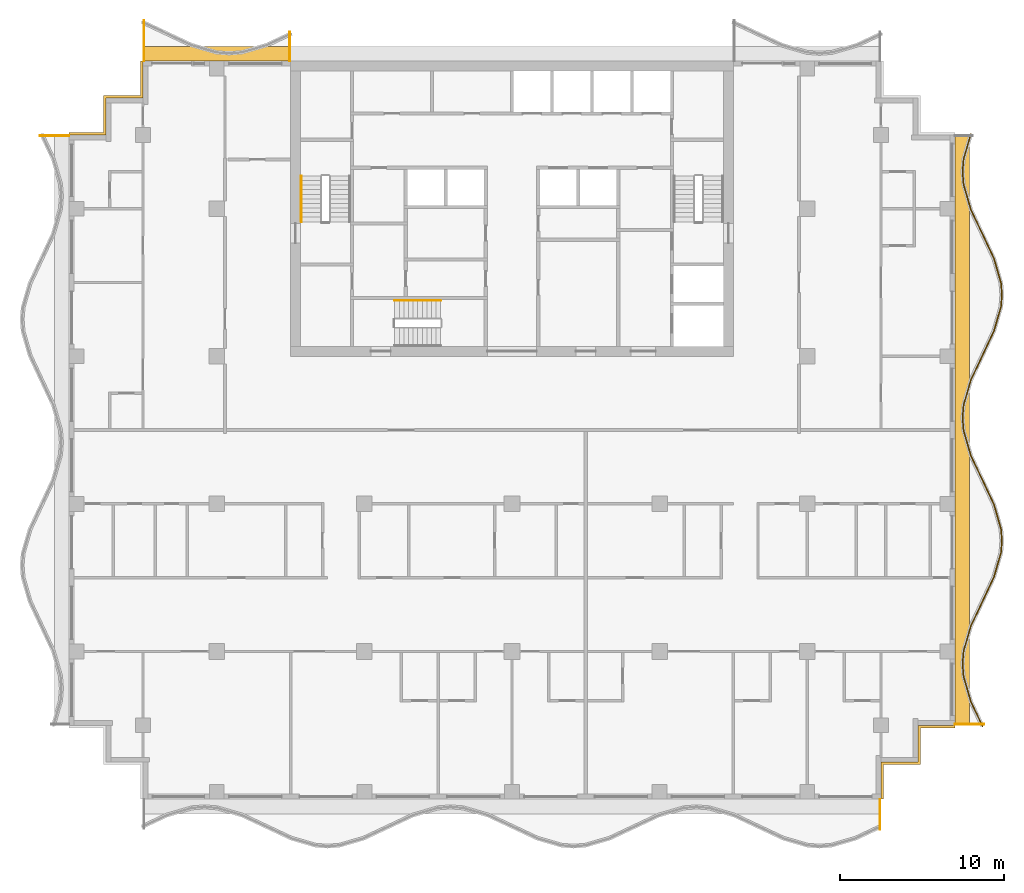
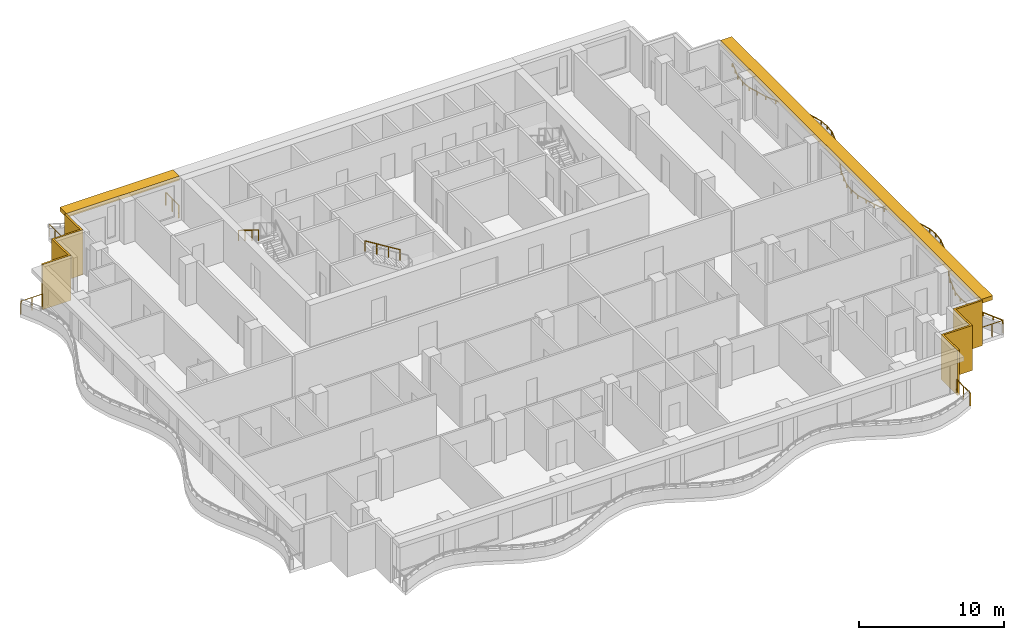
# One storey, part 10 of 11: 8 railings, 4 shading devices.
"""IFC4 building model written with IfcOpenShell, lengths in metres."""

from ifc_helpers import new_model, si_unit, direction, frame, origin, origin_2d, place, context, subcontext, project, spatial, polyline, rectangle, circle, outline, extrude, material, layer, layer_set, type_object, element, save


model = new_model("IFC4")

# Units and contexts
model_context = context("Model", 3, precision=1e-05, world=origin(), true_north=direction((0.0, 1.0)))
body_context = subcontext(model_context, "Body", "Model", "MODEL_VIEW")
ifc_project = project(units=[si_unit("LENGTHUNIT", "METRE"), si_unit("AREAUNIT", "SQUARE_METRE"), si_unit("VOLUMEUNIT", "CUBIC_METRE"), si_unit("PLANEANGLEUNIT", "RADIAN"), si_unit("MASSUNIT", "GRAM", prefix="KILO")], contexts=[model_context])

# Site, building, storey
site_placement = place(None, origin())
site = spatial("IfcSite", under=ifc_project, at=site_placement, CompositionType="ELEMENT")
building_placement = place(site_placement, origin())
building = spatial("IfcBuilding", under=site, at=building_placement, Name="Orbiselva Terraces", CompositionType="ELEMENT")
storey_placement = place(building_placement, frame((0.0, 0.0, 257.8)))
storey = spatial("IfcBuildingStorey", under=building, at=storey_placement, Name="L65", CompositionType="ELEMENT", Elevation=257.8)

# Railings
ifc_material_1 = material(Name="Stainless steel", Category="steel")
railing_type_1 = type_object("IfcRailingType", Name="CORE-HANDRAIL-900", PredefinedType="HANDRAIL", material=ifc_material_1)
railing_1_placement = place(storey_placement, frame((-12.85, 15.5, 2.072727)))
element("IfcRailing", 1, at=railing_1_placement, inside=storey, type_object=railing_type_1, Name="L65 S1 stair handrail 2", PredefinedType="HANDRAIL", context=body_context, shape_type="SweptSolid", body=[
    extrude(circle(Radius=0.024, at=origin_2d()), frame((0.0, 0.0, 0.876), z_axis=(0.0, -0.851088519012, 0.52502222125), x_axis=(1.0, 0.0, 0.0)), (0.0, 0.0, 1.0), 3.289905),
    extrude(circle(Radius=0.021, at=origin_2d()), origin(), (0.0, 0.0, 1.0), 0.852),
    extrude(circle(Radius=0.021, at=origin_2d()), frame((0.0, -0.933333, 0.575758)), (0.0, 0.0, 1.0), 0.852),
    extrude(circle(Radius=0.021, at=origin_2d()), frame((0.0, -1.866667, 1.151515)), (0.0, 0.0, 1.0), 0.852),
    extrude(circle(Radius=0.021, at=origin_2d()), frame((0.0, -2.8, 1.727273)), (0.0, 0.0, 1.0), 0.852),
])
railing_2_placement = place(storey_placement, frame((-4.35, 7.9, 2.072727)))
element("IfcRailing", 2, at=railing_2_placement, inside=storey, type_object=railing_type_1, Name="L65 S3 stair handrail 2", PredefinedType="HANDRAIL", context=body_context, shape_type="SweptSolid", body=[
    extrude(circle(Radius=0.024, at=origin_2d()), frame((0.0, 0.0, 0.876), z_axis=(-0.851088519012, 0.0, 0.52502222125), x_axis=(0.0, -1.0, 0.0)), (0.0, 0.0, 1.0), 3.289905),
    extrude(circle(Radius=0.021, at=origin_2d()), origin(), (0.0, 0.0, 1.0), 0.852),
    extrude(circle(Radius=0.021, at=origin_2d()), frame((-0.933333, 0.0, 0.575758)), (0.0, 0.0, 1.0), 0.852),
    extrude(circle(Radius=0.021, at=origin_2d()), frame((-1.866667, 0.0, 1.151515)), (0.0, 0.0, 1.0), 0.852),
    extrude(circle(Radius=0.021, at=origin_2d()), frame((-2.8, 0.0, 1.727273)), (0.0, 0.0, 1.0), 0.852),
])
ifc_material_2 = material(Name="Bonded two-ply safety glass balustrade, stainless steel posts", Category="steel")
railing_type_2 = type_object("IfcRailingType", Name="ENV-BALUSTRADE-1200", PredefinedType="BALUSTRADE", material=ifc_material_2)
railing_3_placement = place(storey_placement, frame((28.686882, -18.053191, 0.9)))
element("IfcRailing", 3, at=railing_3_placement, inside=storey, type_object=railing_type_2, Name="Balcony balustrade L65 E", PredefinedType="BALUSTRADE", context=body_context, shape_type="SweptSolid", body=[
    extrude(outline(polyline([(0.028868, 0.0), (0.014434, 0.025), (-0.014434, 0.025), (-0.028868, 0.0), (-0.014434, -0.025), (0.014434, -0.025), (0.028868, 0.0)])), frame((0.0, 0.0, 0.275), z_axis=(-0.425530342069, 0.904944157382, 0.0), x_axis=(-0.904944157382, -0.425530342069, 0.0)), (0.0, 0.0, 1.0), 1.667376),
    extrude(outline(polyline([(0.028868, 0.0), (0.014434, 0.025), (-0.014434, 0.025), (-0.028868, 0.0), (-0.014434, -0.025), (0.014434, -0.025), (0.028868, 0.0)])), frame((-0.709519, 1.508882, 0.275), z_axis=(-0.279070928786, 0.960270491427, 0.0), x_axis=(-0.960270491427, -0.279070928786, 0.0)), (0.0, 0.0, 1.0), 1.584712),
    extrude(outline(polyline([(0.028868, 0.0), (0.014434, 0.025), (-0.014434, 0.025), (-0.028868, 0.0), (-0.014434, -0.025), (0.014434, -0.025), (0.028868, 0.0)])), frame((-1.151766, 3.030634, 0.275), z_axis=(-0.078071061106, 0.996947796737, 0.0), x_axis=(-0.996947796737, -0.078071061106, 0.0)), (0.0, 0.0, 1.0), 0.774922),
    extrude(outline(polyline([(0.028868, 0.0), (0.014434, 0.025), (-0.014434, 0.025), (-0.028868, 0.0), (-0.014434, -0.025), (0.014434, -0.025), (0.028868, 0.0)])), frame((-1.212265, 3.803191, 0.275), z_axis=(0.078071061106, 0.996947796737, 0.0), x_axis=(-0.996947796737, 0.078071061106, 0.0)), (0.0, 0.0, 1.0), 0.774922),
    extrude(outline(polyline([(0.028868, 0.0), (0.014434, 0.025), (-0.014434, 0.025), (-0.028868, 0.0), (-0.014434, -0.025), (0.014434, -0.025), (0.028868, 0.0)])), frame((-1.151766, 4.575748, 0.275), z_axis=(0.279070928786, 0.960270491427, 0.0), x_axis=(-0.960270491427, 0.279070928786, 0.0)), (0.0, 0.0, 1.0), 1.584712),
    extrude(outline(polyline([(0.028868, 0.0), (0.014434, 0.025), (-0.014434, 0.025), (-0.028868, 0.0), (-0.014434, -0.025), (0.014434, -0.025), (0.028868, 0.0)])), frame((-0.709519, 6.0975, 0.275), z_axis=(0.425530342069, 0.904944157382, 0.0), x_axis=(-0.904944157382, 0.425530342069, 0.0)), (0.0, 0.0, 1.0), 1.667376),
    extrude(outline(polyline([(0.028868, 0.0), (0.014434, 0.025), (-0.014434, 0.025), (-0.028868, 0.0), (-0.014434, -0.025), (0.014434, -0.025), (0.028868, 0.0)])), frame((0.0, 7.606382, 0.275), z_axis=(0.425529912322, 0.904944359461, 0.0), x_axis=(-0.904944359461, 0.425529912322, 0.0)), (0.0, 0.0, 1.0), 1.647746),
    extrude(outline(polyline([(0.028868, 0.0), (0.014434, 0.025), (-0.014434, 0.025), (-0.028868, 0.0), (-0.014434, -0.025), (0.014434, -0.025), (0.028868, 0.0)])), frame((0.701165, 9.0975, 0.275), z_axis=(0.279071528957, 0.960270317007, 0.0), x_axis=(-0.960270317007, 0.279071528957, 0.0)), (0.0, 0.0, 1.0), 1.539408),
    extrude(outline(polyline([(0.028868, 0.0), (0.014434, 0.025), (-0.014434, 0.025), (-0.028868, 0.0), (-0.014434, -0.025), (0.014434, -0.025), (0.028868, 0.0)])), frame((1.13077, 10.575748, 0.275), z_axis=(0.078069536776, 0.996947916106, 0.0), x_axis=(-0.996947916106, 0.078069536776, 0.0)), (0.0, 0.0, 1.0), 0.72967),
    extrude(outline(polyline([(0.028868, 0.0), (0.014434, 0.025), (-0.014434, 0.025), (-0.028868, 0.0), (-0.014434, -0.025), (0.014434, -0.025), (0.028868, 0.0)])), frame((1.187735, 11.303191, 0.275), z_axis=(-0.078069536776, 0.996947916106, 0.0), x_axis=(-0.996947916106, -0.078069536776, 0.0)), (0.0, 0.0, 1.0), 0.72967),
    extrude(outline(polyline([(0.028868, 0.0), (0.014434, 0.025), (-0.014434, 0.025), (-0.028868, 0.0), (-0.014434, -0.025), (0.014434, -0.025), (0.028868, 0.0)])), frame((1.13077, 12.030634, 0.275), z_axis=(-0.279071528957, 0.960270317007, 0.0), x_axis=(-0.960270317007, -0.279071528957, 0.0)), (0.0, 0.0, 1.0), 1.539408),
    extrude(outline(polyline([(0.028868, 0.0), (0.014434, 0.025), (-0.014434, 0.025), (-0.028868, 0.0), (-0.014434, -0.025), (0.014434, -0.025), (0.028868, 0.0)])), frame((0.701165, 13.508882, 0.275), z_axis=(-0.425529912322, 0.904944359461, 0.0), x_axis=(-0.904944359461, -0.425529912322, 0.0)), (0.0, 0.0, 1.0), 1.647746),
    extrude(outline(polyline([(0.028868, 0.0), (0.014434, 0.025), (-0.014434, 0.025), (-0.028868, 0.0), (-0.014434, -0.025), (0.014434, -0.025), (0.028868, 0.0)])), frame((0.0, 15.0, 0.275), z_axis=(-0.425530342069, 0.904944157382, 0.0), x_axis=(-0.904944157382, -0.425530342069, 0.0)), (0.0, 0.0, 1.0), 1.667376),
    extrude(outline(polyline([(0.028868, 0.0), (0.014434, 0.025), (-0.014434, 0.025), (-0.028868, 0.0), (-0.014434, -0.025), (0.014434, -0.025), (0.028868, 0.0)])), frame((-0.709519, 16.508882, 0.275), z_axis=(-0.279070928786, 0.960270491427, 0.0), x_axis=(-0.960270491427, -0.279070928786, 0.0)), (0.0, 0.0, 1.0), 1.584712),
    extrude(outline(polyline([(0.028868, 0.0), (0.014434, 0.025), (-0.014434, 0.025), (-0.028868, 0.0), (-0.014434, -0.025), (0.014434, -0.025), (0.028868, 0.0)])), frame((-1.151766, 18.030634, 0.275), z_axis=(-0.078071061106, 0.996947796737, 0.0), x_axis=(-0.996947796737, -0.078071061106, 0.0)), (0.0, 0.0, 1.0), 0.774922),
    extrude(outline(polyline([(0.028868, 0.0), (0.014434, 0.025), (-0.014434, 0.025), (-0.028868, 0.0), (-0.014434, -0.025), (0.014434, -0.025), (0.028868, 0.0)])), frame((-1.212265, 18.803191, 0.275), z_axis=(0.078071061106, 0.996947796737, 0.0), x_axis=(-0.996947796737, 0.078071061106, 0.0)), (0.0, 0.0, 1.0), 0.774922),
    extrude(outline(polyline([(0.028868, 0.0), (0.014434, 0.025), (-0.014434, 0.025), (-0.028868, 0.0), (-0.014434, -0.025), (0.014434, -0.025), (0.028868, 0.0)])), frame((-1.151766, 19.575748, 0.275), z_axis=(0.279070928786, 0.960270491427, 0.0), x_axis=(-0.960270491427, 0.279070928786, 0.0)), (0.0, 0.0, 1.0), 1.584712),
    extrude(outline(polyline([(0.028868, 0.0), (0.014434, 0.025), (-0.014434, 0.025), (-0.028868, 0.0), (-0.014434, -0.025), (0.014434, -0.025), (0.028868, 0.0)])), frame((-0.709519, 21.0975, 0.275), z_axis=(0.425530342069, 0.904944157382, 0.0), x_axis=(-0.904944157382, 0.425530342069, 0.0)), (0.0, 0.0, 1.0), 1.667376),
    extrude(outline(polyline([(0.028868, 0.0), (0.014434, 0.025), (-0.014434, 0.025), (-0.028868, 0.0), (-0.014434, -0.025), (0.014434, -0.025), (0.028868, 0.0)])), frame((0.0, 22.606382, 0.275), z_axis=(0.425529912322, 0.904944359461, 0.0), x_axis=(-0.904944359461, 0.425529912322, 0.0)), (0.0, 0.0, 1.0), 1.647746),
    extrude(outline(polyline([(0.028868, 0.0), (0.014434, 0.025), (-0.014434, 0.025), (-0.028868, 0.0), (-0.014434, -0.025), (0.014434, -0.025), (0.028868, 0.0)])), frame((0.701165, 24.0975, 0.275), z_axis=(0.279071528957, 0.960270317007, 0.0), x_axis=(-0.960270317007, 0.279071528957, 0.0)), (0.0, 0.0, 1.0), 1.539408),
    extrude(outline(polyline([(0.028868, 0.0), (0.014434, 0.025), (-0.014434, 0.025), (-0.028868, 0.0), (-0.014434, -0.025), (0.014434, -0.025), (0.028868, 0.0)])), frame((1.13077, 25.575748, 0.275), z_axis=(0.078069536776, 0.996947916106, 0.0), x_axis=(-0.996947916106, 0.078069536776, 0.0)), (0.0, 0.0, 1.0), 0.72967),
    extrude(outline(polyline([(0.028868, 0.0), (0.014434, 0.025), (-0.014434, 0.025), (-0.028868, 0.0), (-0.014434, -0.025), (0.014434, -0.025), (0.028868, 0.0)])), frame((1.187735, 26.303191, 0.275), z_axis=(-0.078069536776, 0.996947916106, 0.0), x_axis=(-0.996947916106, -0.078069536776, 0.0)), (0.0, 0.0, 1.0), 0.72967),
    extrude(outline(polyline([(0.028868, 0.0), (0.014434, 0.025), (-0.014434, 0.025), (-0.028868, 0.0), (-0.014434, -0.025), (0.014434, -0.025), (0.028868, 0.0)])), frame((1.13077, 27.030634, 0.275), z_axis=(-0.279071528957, 0.960270317007, 0.0), x_axis=(-0.960270317007, -0.279071528957, 0.0)), (0.0, 0.0, 1.0), 1.539408),
    extrude(outline(polyline([(0.028868, 0.0), (0.014434, 0.025), (-0.014434, 0.025), (-0.028868, 0.0), (-0.014434, -0.025), (0.014434, -0.025), (0.028868, 0.0)])), frame((0.701165, 28.508882, 0.275), z_axis=(-0.425529912322, 0.904944359461, 0.0), x_axis=(-0.904944359461, -0.425529912322, 0.0)), (0.0, 0.0, 1.0), 1.647746),
    extrude(outline(polyline([(0.028868, 0.0), (0.014434, 0.025), (-0.014434, 0.025), (-0.028868, 0.0), (-0.014434, -0.025), (0.014434, -0.025), (0.028868, 0.0)])), frame((0.0, 30.0, 0.275), z_axis=(-0.425530342069, 0.904944157382, 0.0), x_axis=(-0.904944157382, -0.425530342069, 0.0)), (0.0, 0.0, 1.0), 1.667376),
    extrude(outline(polyline([(0.028868, 0.0), (0.014434, 0.025), (-0.014434, 0.025), (-0.028868, 0.0), (-0.014434, -0.025), (0.014434, -0.025), (0.028868, 0.0)])), frame((-0.709519, 31.508882, 0.275), z_axis=(-0.279070928786, 0.960270491427, 0.0), x_axis=(-0.960270491427, -0.279070928786, 0.0)), (0.0, 0.0, 1.0), 1.584712),
    extrude(outline(polyline([(0.028868, 0.0), (0.014434, 0.025), (-0.014434, 0.025), (-0.028868, 0.0), (-0.014434, -0.025), (0.014434, -0.025), (0.028868, 0.0)])), frame((-1.151766, 33.030634, 0.275), z_axis=(-0.078071061106, 0.996947796737, 0.0), x_axis=(-0.996947796737, -0.078071061106, 0.0)), (0.0, 0.0, 1.0), 0.774922),
    extrude(outline(polyline([(0.028868, 0.0), (0.014434, 0.025), (-0.014434, 0.025), (-0.028868, 0.0), (-0.014434, -0.025), (0.014434, -0.025), (0.028868, 0.0)])), frame((-1.212265, 33.803191, 0.275), z_axis=(0.078071061106, 0.996947796737, 0.0), x_axis=(-0.996947796737, 0.078071061106, 0.0)), (0.0, 0.0, 1.0), 0.774922),
    extrude(outline(polyline([(0.028868, 0.0), (0.014434, 0.025), (-0.014434, 0.025), (-0.028868, 0.0), (-0.014434, -0.025), (0.014434, -0.025), (0.028868, 0.0)])), frame((-1.151766, 34.575748, 0.275), z_axis=(0.279070966973, 0.96027048033, 0.0), x_axis=(-0.96027048033, 0.279070966973, 0.0)), (0.0, 0.0, 1.0), 1.574897),
    extrude(rectangle(XDim=0.05, YDim=0.05, at=origin_2d()), origin(), (0.0, 0.0, 1.0), 0.25),
    extrude(rectangle(XDim=0.05, YDim=0.05, at=origin_2d()), frame((-0.35476, 0.754441, 0.0)), (0.0, 0.0, 1.0), 0.25),
    extrude(rectangle(XDim=0.05, YDim=0.05, at=origin_2d()), frame((-0.709519, 1.508882, 0.0)), (0.0, 0.0, 1.0), 0.25),
    extrude(rectangle(XDim=0.05, YDim=0.05, at=origin_2d()), frame((-0.930643, 2.269758, 0.0)), (0.0, 0.0, 1.0), 0.25),
    extrude(rectangle(XDim=0.05, YDim=0.05, at=origin_2d()), frame((-1.151766, 3.030634, 0.0)), (0.0, 0.0, 1.0), 0.25),
    extrude(rectangle(XDim=0.05, YDim=0.05, at=origin_2d()), frame((-1.212265, 3.803191, 0.0)), (0.0, 0.0, 1.0), 0.25),
    extrude(rectangle(XDim=0.05, YDim=0.05, at=origin_2d()), frame((-1.151766, 4.575748, 0.0)), (0.0, 0.0, 1.0), 0.25),
    extrude(rectangle(XDim=0.05, YDim=0.05, at=origin_2d()), frame((-0.930643, 5.336624, 0.0)), (0.0, 0.0, 1.0), 0.25),
    extrude(rectangle(XDim=0.05, YDim=0.05, at=origin_2d()), frame((-0.709519, 6.0975, 0.0)), (0.0, 0.0, 1.0), 0.25),
    extrude(rectangle(XDim=0.05, YDim=0.05, at=origin_2d()), frame((-0.35476, 6.851941, 0.0)), (0.0, 0.0, 1.0), 0.25),
    extrude(rectangle(XDim=0.05, YDim=0.05, at=origin_2d()), frame((0.0, 7.606382, 0.0)), (0.0, 0.0, 1.0), 0.25),
    extrude(rectangle(XDim=0.05, YDim=0.05, at=origin_2d()), frame((0.350582, 8.351941, 0.0)), (0.0, 0.0, 1.0), 0.25),
    extrude(rectangle(XDim=0.05, YDim=0.05, at=origin_2d()), frame((0.701165, 9.0975, 0.0)), (0.0, 0.0, 1.0), 0.25),
    extrude(rectangle(XDim=0.05, YDim=0.05, at=origin_2d()), frame((0.915967, 9.836624, 0.0)), (0.0, 0.0, 1.0), 0.25),
    extrude(rectangle(XDim=0.05, YDim=0.05, at=origin_2d()), frame((1.13077, 10.575748, 0.0)), (0.0, 0.0, 1.0), 0.25),
    extrude(rectangle(XDim=0.05, YDim=0.05, at=origin_2d()), frame((1.187735, 11.303191, 0.0)), (0.0, 0.0, 1.0), 0.25),
    extrude(rectangle(XDim=0.05, YDim=0.05, at=origin_2d()), frame((1.13077, 12.030634, 0.0)), (0.0, 0.0, 1.0), 0.25),
    extrude(rectangle(XDim=0.05, YDim=0.05, at=origin_2d()), frame((0.915967, 12.769758, 0.0)), (0.0, 0.0, 1.0), 0.25),
    extrude(rectangle(XDim=0.05, YDim=0.05, at=origin_2d()), frame((0.701165, 13.508882, 0.0)), (0.0, 0.0, 1.0), 0.25),
    extrude(rectangle(XDim=0.05, YDim=0.05, at=origin_2d()), frame((0.350582, 14.254441, 0.0)), (0.0, 0.0, 1.0), 0.25),
    extrude(rectangle(XDim=0.05, YDim=0.05, at=origin_2d()), frame((0.0, 15.0, 0.0)), (0.0, 0.0, 1.0), 0.25),
    extrude(rectangle(XDim=0.05, YDim=0.05, at=origin_2d()), frame((-0.35476, 15.754441, 0.0)), (0.0, 0.0, 1.0), 0.25),
    extrude(rectangle(XDim=0.05, YDim=0.05, at=origin_2d()), frame((-0.709519, 16.508882, 0.0)), (0.0, 0.0, 1.0), 0.25),
    extrude(rectangle(XDim=0.05, YDim=0.05, at=origin_2d()), frame((-0.930643, 17.269758, 0.0)), (0.0, 0.0, 1.0), 0.25),
    extrude(rectangle(XDim=0.05, YDim=0.05, at=origin_2d()), frame((-1.151766, 18.030634, 0.0)), (0.0, 0.0, 1.0), 0.25),
    extrude(rectangle(XDim=0.05, YDim=0.05, at=origin_2d()), frame((-1.212265, 18.803191, 0.0)), (0.0, 0.0, 1.0), 0.25),
    extrude(rectangle(XDim=0.05, YDim=0.05, at=origin_2d()), frame((-1.151766, 19.575748, 0.0)), (0.0, 0.0, 1.0), 0.25),
    extrude(rectangle(XDim=0.05, YDim=0.05, at=origin_2d()), frame((-0.930643, 20.336624, 0.0)), (0.0, 0.0, 1.0), 0.25),
    extrude(rectangle(XDim=0.05, YDim=0.05, at=origin_2d()), frame((-0.709519, 21.0975, 0.0)), (0.0, 0.0, 1.0), 0.25),
    extrude(rectangle(XDim=0.05, YDim=0.05, at=origin_2d()), frame((-0.35476, 21.851941, 0.0)), (0.0, 0.0, 1.0), 0.25),
    extrude(rectangle(XDim=0.05, YDim=0.05, at=origin_2d()), frame((0.0, 22.606382, 0.0)), (0.0, 0.0, 1.0), 0.25),
    extrude(rectangle(XDim=0.05, YDim=0.05, at=origin_2d()), frame((0.350582, 23.351941, 0.0)), (0.0, 0.0, 1.0), 0.25),
    extrude(rectangle(XDim=0.05, YDim=0.05, at=origin_2d()), frame((0.701165, 24.0975, 0.0)), (0.0, 0.0, 1.0), 0.25),
    extrude(rectangle(XDim=0.05, YDim=0.05, at=origin_2d()), frame((0.915967, 24.836624, 0.0)), (0.0, 0.0, 1.0), 0.25),
    extrude(rectangle(XDim=0.05, YDim=0.05, at=origin_2d()), frame((1.13077, 25.575748, 0.0)), (0.0, 0.0, 1.0), 0.25),
    extrude(rectangle(XDim=0.05, YDim=0.05, at=origin_2d()), frame((1.187735, 26.303191, 0.0)), (0.0, 0.0, 1.0), 0.25),
    extrude(rectangle(XDim=0.05, YDim=0.05, at=origin_2d()), frame((1.13077, 27.030634, 0.0)), (0.0, 0.0, 1.0), 0.25),
    extrude(rectangle(XDim=0.05, YDim=0.05, at=origin_2d()), frame((0.915967, 27.769758, 0.0)), (0.0, 0.0, 1.0), 0.25),
    extrude(rectangle(XDim=0.05, YDim=0.05, at=origin_2d()), frame((0.701165, 28.508882, 0.0)), (0.0, 0.0, 1.0), 0.25),
    extrude(rectangle(XDim=0.05, YDim=0.05, at=origin_2d()), frame((0.350582, 29.254441, 0.0)), (0.0, 0.0, 1.0), 0.25),
    extrude(rectangle(XDim=0.05, YDim=0.05, at=origin_2d()), frame((0.0, 30.0, 0.0)), (0.0, 0.0, 1.0), 0.25),
    extrude(rectangle(XDim=0.05, YDim=0.05, at=origin_2d()), frame((-0.35476, 30.754441, 0.0)), (0.0, 0.0, 1.0), 0.25),
    extrude(rectangle(XDim=0.05, YDim=0.05, at=origin_2d()), frame((-0.709519, 31.508882, 0.0)), (0.0, 0.0, 1.0), 0.25),
    extrude(rectangle(XDim=0.05, YDim=0.05, at=origin_2d()), frame((-0.930643, 32.269758, 0.0)), (0.0, 0.0, 1.0), 0.25),
    extrude(rectangle(XDim=0.05, YDim=0.05, at=origin_2d()), frame((-1.151766, 33.030634, 0.0)), (0.0, 0.0, 1.0), 0.25),
    extrude(rectangle(XDim=0.05, YDim=0.05, at=origin_2d()), frame((-1.212265, 33.803191, 0.0)), (0.0, 0.0, 1.0), 0.25),
    extrude(rectangle(XDim=0.05, YDim=0.05, at=origin_2d()), frame((-1.151766, 34.575748, 0.0)), (0.0, 0.0, 1.0), 0.25),
    extrude(rectangle(XDim=0.05, YDim=0.05, at=origin_2d()), frame((-0.932012, 35.331912, 0.0)), (0.0, 0.0, 1.0), 0.25),
    extrude(rectangle(XDim=0.05, YDim=0.05, at=origin_2d()), frame((-0.712258, 36.088075, 0.0)), (0.0, 0.0, 1.0), 0.25),
])
ifc_material_3 = material(Name="Stainless steel rail and posts", Category="steel")
railing_type_3 = type_object("IfcRailingType", Name="ENV-GUARD-1105", PredefinedType="BALUSTRADE", material=ifc_material_3)
railing_4_placement = place(storey_placement, frame((22.44, -24.330156, 0.0)))
element("IfcRailing", 4, at=railing_4_placement, inside=storey, type_object=railing_type_3, Name="Balcony end guard L65 S", PredefinedType="BALUSTRADE", context=body_context, shape_type="SweptSolid", body=[
    extrude(outline(polyline([(0.028868, 0.0), (0.014434, 0.025), (-0.014434, 0.025), (-0.028868, 0.0), (-0.014434, -0.025), (0.014434, -0.025), (0.028868, 0.0)])), frame((0.0, 0.0, 1.08), z_axis=(0.0, 1.0, 0.0), x_axis=(-1.0, 0.0, 0.0)), (0.0, 0.0, 1.0), 1.805156),
    extrude(rectangle(XDim=0.05, YDim=0.05, at=origin_2d()), origin(), (0.0, 0.0, 1.0), 1.055),
    extrude(rectangle(XDim=0.05, YDim=0.05, at=origin_2d()), frame((0.0, 0.902578, 0.0)), (0.0, 0.0, 1.0), 1.055),
    extrude(rectangle(XDim=0.05, YDim=0.05, at=origin_2d()), frame((0.0, 1.805156, 0.0)), (0.0, 0.0, 1.0), 1.055),
])
railing_5_placement = place(storey_placement, frame((28.769844, -17.94, 0.0)))
element("IfcRailing", 5, at=railing_5_placement, inside=storey, type_object=railing_type_3, Name="Balcony end guard L65 E", PredefinedType="BALUSTRADE", context=body_context, shape_type="SweptSolid", body=[
    extrude(outline(polyline([(0.028868, 0.0), (0.014434, 0.025), (-0.014434, 0.025), (-0.028868, 0.0), (-0.014434, -0.025), (0.014434, -0.025), (0.028868, 0.0)])), frame((0.0, 0.0, 1.08), z_axis=(-1.0, 0.0, 0.0), x_axis=(0.0, -1.0, 0.0)), (0.0, 0.0, 1.0), 1.744844),
    extrude(rectangle(XDim=0.05, YDim=0.05, at=origin_2d()), origin(), (0.0, 0.0, 1.0), 1.055),
    extrude(rectangle(XDim=0.05, YDim=0.05, at=origin_2d()), frame((-0.872422, 0.0, 0.0)), (0.0, 0.0, 1.0), 1.055),
    extrude(rectangle(XDim=0.05, YDim=0.05, at=origin_2d()), frame((-1.744844, 0.0, 0.0)), (0.0, 0.0, 1.0), 1.055),
])
railing_6_placement = place(storey_placement, frame((-13.56, 24.269844, 0.0)))
element("IfcRailing", 6, at=railing_6_placement, inside=storey, type_object=railing_type_3, Name="Balcony end guard L65 NW", PredefinedType="BALUSTRADE", context=body_context, shape_type="SweptSolid", body=[
    extrude(outline(polyline([(0.028868, 0.0), (0.014434, 0.025), (-0.014434, 0.025), (-0.028868, 0.0), (-0.014434, -0.025), (0.014434, -0.025), (0.028868, 0.0)])), frame((0.0, 0.0, 1.08), z_axis=(0.0, -1.0, 0.0), x_axis=(1.0, 0.0, 0.0)), (0.0, 0.0, 1.0), 1.744844),
    extrude(rectangle(XDim=0.05, YDim=0.05, at=origin_2d()), origin(), (0.0, 0.0, 1.0), 1.055),
    extrude(rectangle(XDim=0.05, YDim=0.05, at=origin_2d()), frame((0.0, -0.872422, 0.0)), (0.0, 0.0, 1.0), 1.055),
    extrude(rectangle(XDim=0.05, YDim=0.05, at=origin_2d()), frame((0.0, -1.744844, 0.0)), (0.0, 0.0, 1.0), 1.055),
])
railing_7_placement = place(storey_placement, frame((-22.44, 24.980723, 0.0)))
element("IfcRailing", 7, at=railing_7_placement, inside=storey, type_object=railing_type_3, Name="Balcony end guard L65 NW", PredefinedType="BALUSTRADE", context=body_context, shape_type="SweptSolid", body=[
    extrude(outline(polyline([(0.028868, 0.0), (0.014434, 0.025), (-0.014434, 0.025), (-0.028868, 0.0), (-0.014434, -0.025), (0.014434, -0.025), (0.028868, 0.0)])), frame((0.0, 0.0, 1.08), z_axis=(0.0, -1.0, 0.0), x_axis=(1.0, 0.0, 0.0)), (0.0, 0.0, 1.0), 2.455723),
    extrude(rectangle(XDim=0.05, YDim=0.05, at=origin_2d()), origin(), (0.0, 0.0, 1.0), 1.055),
    extrude(rectangle(XDim=0.05, YDim=0.05, at=origin_2d()), frame((0.0, -0.818574, 0.0)), (0.0, 0.0, 1.0), 1.055),
    extrude(rectangle(XDim=0.05, YDim=0.05, at=origin_2d()), frame((0.0, -1.637149, 0.0)), (0.0, 0.0, 1.0), 1.055),
    extrude(rectangle(XDim=0.05, YDim=0.05, at=origin_2d()), frame((0.0, -2.455723, 0.0)), (0.0, 0.0, 1.0), 1.055),
])
railing_8_placement = place(storey_placement, frame((-28.769844, 17.94, 0.0)))
element("IfcRailing", 8, at=railing_8_placement, inside=storey, type_object=railing_type_3, Name="Balcony end guard L65 W", PredefinedType="BALUSTRADE", context=body_context, shape_type="SweptSolid", body=[
    extrude(outline(polyline([(0.028868, 0.0), (0.014434, 0.025), (-0.014434, 0.025), (-0.028868, 0.0), (-0.014434, -0.025), (0.014434, -0.025), (0.028868, 0.0)])), frame((0.0, 0.0, 1.08), z_axis=(1.0, 0.0, 0.0), x_axis=(0.0, 1.0, 0.0)), (0.0, 0.0, 1.0), 1.744844),
    extrude(rectangle(XDim=0.05, YDim=0.05, at=origin_2d()), origin(), (0.0, 0.0, 1.0), 1.055),
    extrude(rectangle(XDim=0.05, YDim=0.05, at=origin_2d()), frame((0.872422, 0.0, 0.0)), (0.0, 0.0, 1.0), 1.055),
    extrude(rectangle(XDim=0.05, YDim=0.05, at=origin_2d()), frame((1.744844, 0.0, 0.0)), (0.0, 0.0, 1.0), 1.055),
])

# Shading devices
ifc_material_4 = material(Name="Terracotta louvre screen", Category="masonry")
ifc_layer_1 = layer(ifc_material_4, 0.15)
ifc_layer_set_1 = layer_set([ifc_layer_1], Name="Terracotta louvre screen")
shading_device_type_1 = type_object("IfcShadingDeviceType", Name="ENV-SCREEN-150", PredefinedType="USERDEFINED", material=ifc_layer_set_1)
shading_device_1_placement = place(storey_placement, frame((0.0, 0.0, -0.3)))
element("IfcShadingDevice", 9, at=shading_device_1_placement, inside=storey, type_object=shading_device_type_1, Name="Louvre screen L65 NW", ObjectType="SCREEN", PredefinedType="USERDEFINED", context=body_context, shape_type="SweptSolid", body=[
    extrude(outline(polyline([(-22.65, 22.5), (-22.65, 20.4), (-24.9, 20.4), (-24.9, 18.15), (-27.0, 18.15), (-27.0, 18.0), (-24.75, 18.0), (-24.75, 20.25), (-22.5, 20.25), (-22.5, 22.5), (-22.65, 22.5)])), origin(), (0.0, 0.0, 1.0), 3.8),
])
shading_device_2_placement = place(storey_placement, frame((0.0, 0.0, -0.3)))
element("IfcShadingDevice", 10, at=shading_device_2_placement, inside=storey, type_object=shading_device_type_1, Name="Louvre screen L65 SE", ObjectType="SCREEN", PredefinedType="USERDEFINED", context=body_context, shape_type="SweptSolid", body=[
    extrude(outline(polyline([(22.65, -22.5), (22.65, -20.4), (24.9, -20.4), (24.9, -18.15), (27.0, -18.15), (27.0, -18.0), (24.75, -18.0), (24.75, -20.25), (22.5, -20.25), (22.5, -22.5), (22.65, -22.5)])), origin(), (0.0, 0.0, 1.0), 3.8),
])
ifc_material_5 = material(Name="Terracotta baguette sunshade", Category="masonry")
ifc_layer_2 = layer(ifc_material_5, 0.35)
ifc_layer_set_2 = layer_set([ifc_layer_2], Name="Terracotta baguette sunshade")
shading_device_type_2 = type_object("IfcShadingDeviceType", Name="ENV-SUNSHADE-900x350", PredefinedType="USERDEFINED", material=ifc_layer_set_2)
shading_device_3_placement = place(storey_placement, frame((0.0, 0.0, 3.15)))
element("IfcShadingDevice", 11, at=shading_device_3_placement, inside=storey, type_object=shading_device_type_2, Name="Sunshade band L65 E", ObjectType="SUNSHADE", PredefinedType="USERDEFINED", context=body_context, shape_type="SweptSolid", body=[
    extrude(outline(polyline([(27.9, -18.0), (27.9, 18.0), (27.0, 18.0), (27.0, -18.0), (27.9, -18.0)])), origin(), (0.0, 0.0, 1.0), 0.35),
])
shading_device_4_placement = place(storey_placement, frame((0.0, 0.0, 3.15)))
element("IfcShadingDevice", 12, at=shading_device_4_placement, inside=storey, type_object=shading_device_type_2, Name="Sunshade band L65 NW", ObjectType="SUNSHADE", PredefinedType="USERDEFINED", context=body_context, shape_type="SweptSolid", body=[
    extrude(outline(polyline([(-13.5, 23.4), (-22.5, 23.4), (-22.5, 22.5), (-13.5, 22.5), (-13.5, 23.4)])), origin(), (0.0, 0.0, 1.0), 0.35),
])

save(model, "model.ifc")
